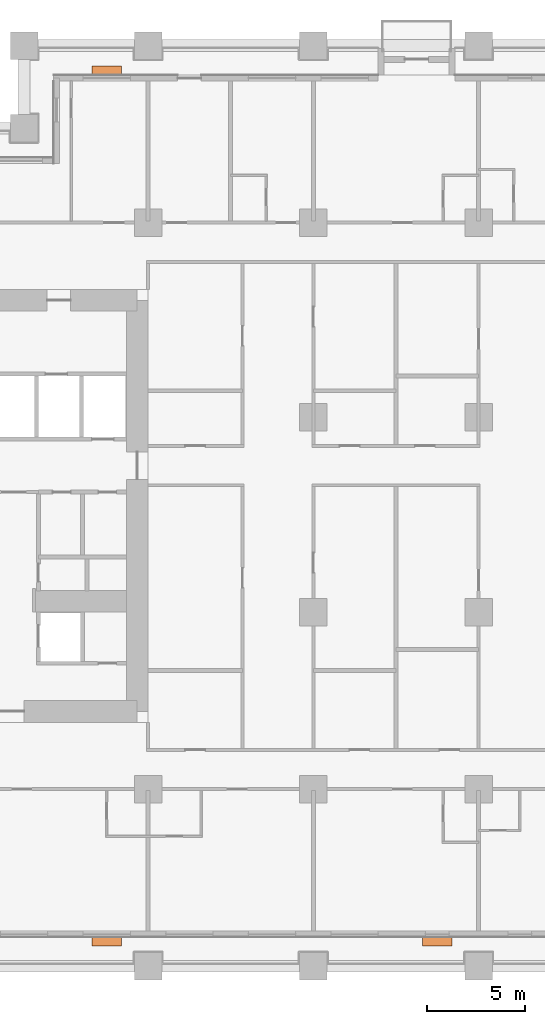
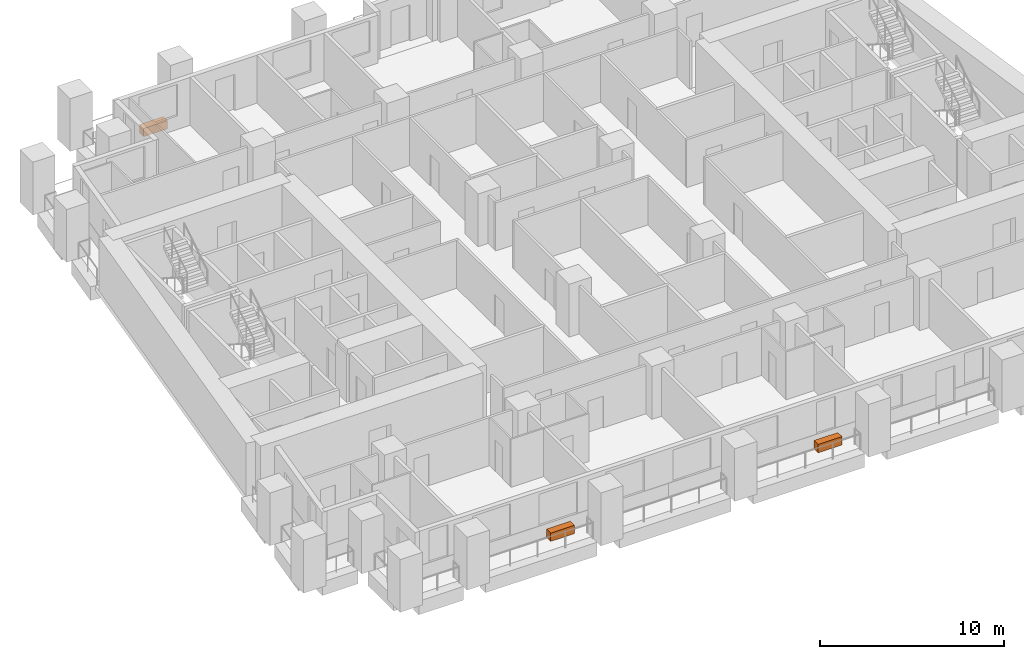
# One storey, part 13 of 13: 3 proxies.
"""IFC4 building model written with IfcOpenShell, lengths in metres."""

from ifc_helpers import new_model, si_unit, direction, frame, origin, origin_2d, place, context, subcontext, project, spatial, rectangle, extrude, element, save


model = new_model("IFC4")

# Units and contexts
model_context = context("Model", 3, precision=1e-05, world=origin(), true_north=direction((0.0, 1.0)))
body_context = subcontext(model_context, "Body", "Model", "MODEL_VIEW")
ifc_project = project(units=[si_unit("LENGTHUNIT", "METRE"), si_unit("AREAUNIT", "SQUARE_METRE"), si_unit("VOLUMEUNIT", "CUBIC_METRE"), si_unit("PLANEANGLEUNIT", "RADIAN"), si_unit("MASSUNIT", "GRAM", prefix="KILO")], contexts=[model_context])

# Site, building, storey
site_placement = place(None, origin())
site = spatial("IfcSite", under=ifc_project, at=site_placement, CompositionType="ELEMENT")
building_placement = place(site_placement, origin())
building = spatial("IfcBuilding", under=site, at=building_placement, Name="Candeia Pilgrim Tower and Theatre", CompositionType="ELEMENT")
storey_placement = place(building_placement, frame((0.0, 0.0, 63.5)))
storey = spatial("IfcBuildingStorey", under=building, at=storey_placement, Name="L13", CompositionType="ELEMENT", Elevation=63.5)

# Proxies
for number, where, z_axis, x_axis, name in (
    (1, (98.699951171875, 99.2548828125, 0.0), (0.0, 0.0, 1.0), (1.0, 0.0, 0.0), "Planter"),
    (2, (115.5, 99.2548828125, 0.0), (0.0, 0.0, 1.0), (1.0, 0.0, 0.0), "Planter"),
    (3, (98.699951171875, 143.544921875, 0.0), (0.0, 0.0, 1.0), (-1.0, 0.0, 0.0), "Planter"),
):
    element("IfcBuildingElementProxy", number, at=place(storey_placement, frame(where, z_axis=z_axis, x_axis=x_axis)), inside=storey, Name=name, ObjectType="PLANTER", PredefinedType="USERDEFINED", context=body_context, shape_type="SweptSolid", body=[
        extrude(rectangle(XDim=1.5, YDim=0.449951171875, at=origin_2d()), origin(), (0.0, 0.0, 1.0), 0.550048828125),
    ])

save(model, "model.ifc")
